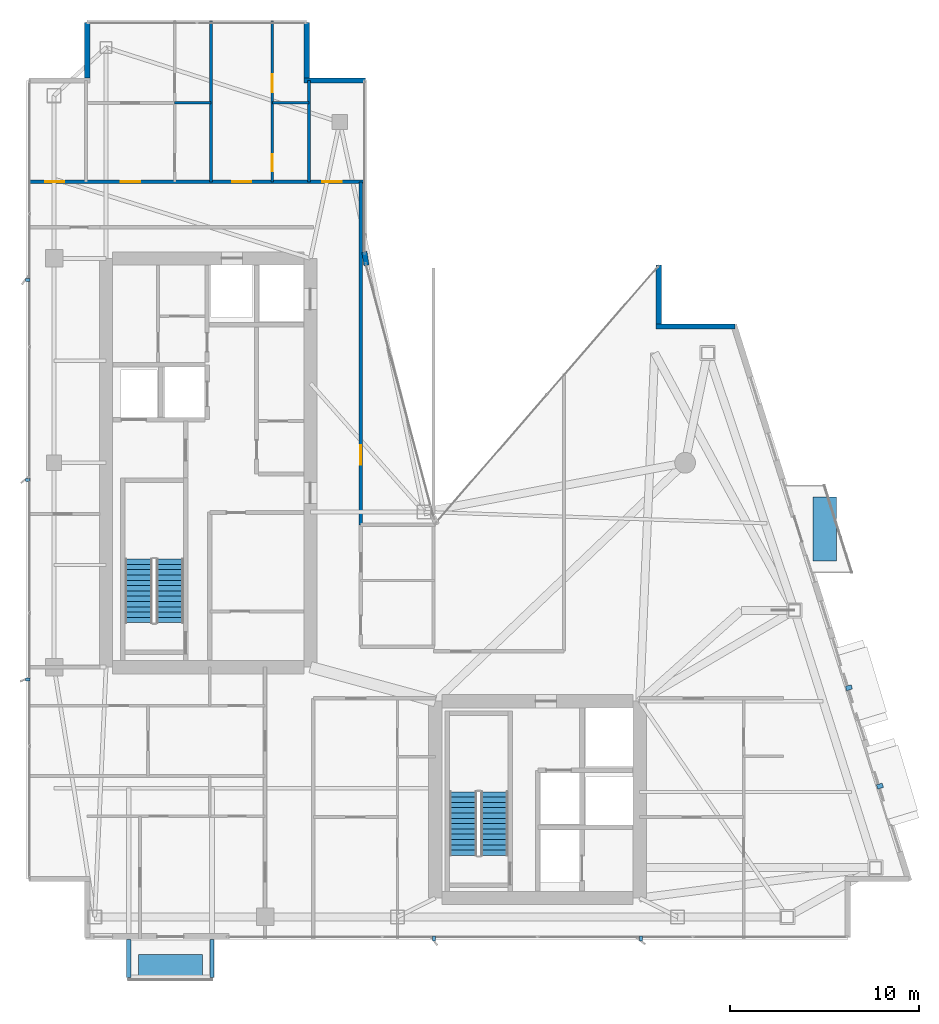
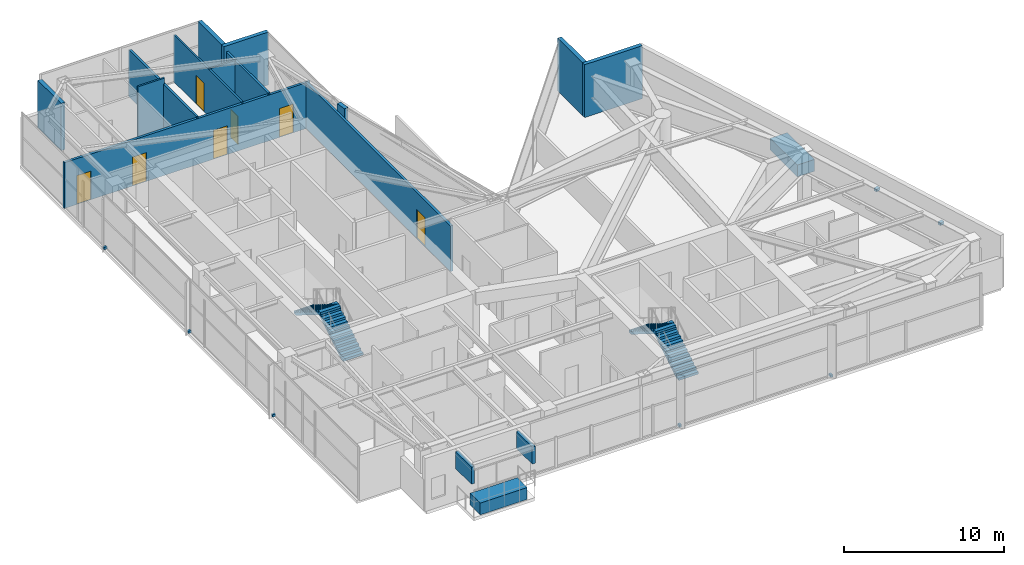
# One storey, part 27 of 29: 13 walls, 11 discrete accessories, 7 doors, 4 stair flights, 7 openings, 2 elements without a shape of their own.
"""IFC4 building model written with IfcOpenShell, lengths in metres."""

from ifc_helpers import new_model, si_unit, direction, frame, frame_2d, origin, origin_2d, place, context, subcontext, project, spatial, polyline, rectangle, outline, extrude, material, layer, layer_set, type_object, element, fill, aggregate, save


model = new_model("IFC4")

# Units and contexts
model_context = context("Model", 3, precision=1e-05, world=origin(), true_north=direction((0.0, 1.0)))
body_context = subcontext(model_context, "Body", "Model", "MODEL_VIEW")
ifc_project = project(units=[si_unit("LENGTHUNIT", "METRE"), si_unit("AREAUNIT", "SQUARE_METRE"), si_unit("VOLUMEUNIT", "CUBIC_METRE"), si_unit("PLANEANGLEUNIT", "RADIAN"), si_unit("MASSUNIT", "GRAM", prefix="KILO")], contexts=[model_context])

# Site, building, storey
site_placement = place(None, origin())
site = spatial("IfcSite", under=ifc_project, at=site_placement, CompositionType="ELEMENT")
building_placement = place(site_placement, origin())
building = spatial("IfcBuilding", under=site, at=building_placement, Name="Calvorn Quay Hotel", CompositionType="ELEMENT")
storey_placement = place(building_placement, frame((0.0, 0.0, 259.0)))
storey = spatial("IfcBuildingStorey", under=building, at=storey_placement, Name="L64", CompositionType="ELEMENT", Elevation=259.0)

# Wall, openings, doors
ifc_material_1 = material(Name="Acoustic Fireboard Steel-Stud Partition", Category="steel")
ifc_layer_1 = layer(ifc_material_1, 0.179931640625)
ifc_layer_set_1 = layer_set([ifc_layer_1], Name="WL-CORR-FIRE-180")
wall_type_1 = type_object("IfcWallType", Name="WL-CORR-FIRE-180", PredefinedType="PARTITIONING", material=ifc_layer_set_1)
wall_1_placement = place(storey_placement, frame((0.080078125, 42.449951171875, 0.0), z_axis=(0.0, 0.0, 1.0), x_axis=(1.0, 0.0, 0.0)))
wall_1 = element("IfcWall", 1, at=wall_1_placement, inside=storey, type_object=wall_type_1, Name="Partition Wall L64-WL-CORR-NW-N", PredefinedType="PARTITIONING", context=body_context, shape_type="SweptSolid", body=[
    extrude(rectangle(XDim=17.77001953125, YDim=0.179931640625, at=frame_2d((8.885009765625, 0.0))), origin(), (0.0, 0.0, 1.0), 3.5),
])
opening_1_placement = place(wall_1_placement, frame((0.89990234375, 0.0, 0.0)))
opening_1 = element("IfcOpeningElement", 2, at=opening_1_placement, cuts=wall_1, Name="Opening D-L64-NWW", PredefinedType="OPENING", context=body_context, shape_type="SweptSolid", body=[
    extrude(rectangle(XDim=1.02001953125, YDim=2.199951171875, at=frame_2d((0.510009765625, 1.10009765625))), frame((0.0, 0.099853515625, 0.0), z_axis=(0.0, -1.0, 0.0), x_axis=(1.0, 0.0, 0.0)), (0.0, 0.0, 1.0), 0.199951171875),
])
opening_2_placement = place(wall_1_placement, frame((4.89990234375, 0.0, 0.0)))
opening_2 = element("IfcOpeningElement", 3, at=opening_2_placement, cuts=wall_1, Name="Opening D-L64-U04", PredefinedType="OPENING", context=body_context, shape_type="SweptSolid", body=[
    extrude(rectangle(XDim=1.02001953125, YDim=2.199951171875, at=frame_2d((0.510009765625, 1.10009765625))), frame((0.0, 0.099853515625, 0.0), z_axis=(0.0, -1.0, 0.0), x_axis=(1.0, 0.0, 0.0)), (0.0, 0.0, 1.0), 0.199951171875),
])
opening_3_placement = place(wall_1_placement, frame((10.780029296875, 0.0, 0.0)))
opening_3 = element("IfcOpeningElement", 4, at=opening_3_placement, cuts=wall_1, Name="Opening D-L64-U05", PredefinedType="OPENING", context=body_context, shape_type="SweptSolid", body=[
    extrude(rectangle(XDim=1.02001953125, YDim=2.199951171875, at=frame_2d((0.510009765625, 1.10009765625))), frame((0.0, 0.099853515625, 0.0), z_axis=(0.0, -1.0, 0.0), x_axis=(1.0, 0.0, 0.0)), (0.0, 0.0, 1.0), 0.199951171875),
])
opening_4_placement = place(wall_1_placement, frame((15.550048828125, 0.0, 0.0)))
opening_4 = element("IfcOpeningElement", 5, at=opening_4_placement, cuts=wall_1, Name="Opening D-L64-NWE", PredefinedType="OPENING", context=body_context, shape_type="SweptSolid", body=[
    extrude(rectangle(XDim=1.02001953125, YDim=2.199951171875, at=frame_2d((0.510009765625, 1.10009765625))), frame((0.0, 0.099853515625, 0.0), z_axis=(0.0, -1.0, 0.0), x_axis=(1.0, 0.0, 0.0)), (0.0, 0.0, 1.0), 0.199951171875),
])
ifc_material_2 = material(Name="Solid-Core Walnut Veneer Hotel Fire Door")
door_type_1 = type_object("IfcDoorType", Name="DR-GUEST-ENTRY-1020", OperationType="NOTDEFINED", PredefinedType="DOOR", material=ifc_material_2)
door_1_placement = place(opening_1_placement, origin())
door_1 = element("IfcDoor", 6, at=door_1_placement, inside=storey, type_object=door_type_1, Name="West Corner Study Door (L64)", OperationType="SINGLE_SWING_LEFT", OverallHeight=2.199951171875, OverallWidth=1.02001953125, PredefinedType="DOOR", context=body_context, shape_type="SweptSolid", body=[
    extrude(rectangle(XDim=1.02001953125, YDim=2.199951171875, at=frame_2d((0.510009765625, 1.10009765625))), frame((0.0, 0.02490234375, 0.0), z_axis=(0.0, -1.0, 0.0), x_axis=(1.0, 0.0, 0.0)), (0.0, 0.0, 1.0), 0.050048828125),
])
fill(opening_1, door_1)
door_2_placement = place(opening_2_placement, origin())
door_2 = element("IfcDoor", 7, at=door_2_placement, inside=storey, type_object=door_type_1, Name="North-West Unit Door U04 (L64)", OperationType="SINGLE_SWING_RIGHT", OverallHeight=2.199951171875, OverallWidth=1.02001953125, PredefinedType="DOOR", context=body_context, shape_type="SweptSolid", body=[
    extrude(rectangle(XDim=1.02001953125, YDim=2.199951171875, at=frame_2d((0.510009765625, 1.10009765625))), frame((0.0, 0.02490234375, 0.0), z_axis=(0.0, -1.0, 0.0), x_axis=(1.0, 0.0, 0.0)), (0.0, 0.0, 1.0), 0.050048828125),
])
fill(opening_2, door_2)
door_3_placement = place(opening_3_placement, origin())
door_3 = element("IfcDoor", 8, at=door_3_placement, inside=storey, type_object=door_type_1, Name="North-West Unit Door U05 (L64)", OperationType="SINGLE_SWING_LEFT", OverallHeight=2.199951171875, OverallWidth=1.02001953125, PredefinedType="DOOR", context=body_context, shape_type="SweptSolid", body=[
    extrude(rectangle(XDim=1.02001953125, YDim=2.199951171875, at=frame_2d((0.510009765625, 1.10009765625))), frame((0.0, 0.02490234375, 0.0), z_axis=(0.0, -1.0, 0.0), x_axis=(1.0, 0.0, 0.0)), (0.0, 0.0, 1.0), 0.050048828125),
])
fill(opening_3, door_3)
door_4_placement = place(opening_4_placement, origin())
door_4 = element("IfcDoor", 9, at=door_4_placement, inside=storey, type_object=door_type_1, Name="Inner Court Study Door (L64)", OperationType="SINGLE_SWING_RIGHT", OverallHeight=2.199951171875, OverallWidth=1.02001953125, PredefinedType="DOOR", context=body_context, shape_type="SweptSolid", body=[
    extrude(rectangle(XDim=1.02001953125, YDim=2.199951171875, at=frame_2d((0.510009765625, 1.10009765625))), frame((0.0, 0.02490234375, 0.0), z_axis=(0.0, -1.0, 0.0), x_axis=(1.0, 0.0, 0.0)), (0.0, 0.0, 1.0), 0.050048828125),
])
fill(opening_4, door_4)

# Wall, opening, door
wall_2_placement = place(storey_placement, frame((17.64990234375, 24.300048828125, 0.0), z_axis=(0.0, 0.0, 1.0), x_axis=(0.0, 1.0, 0.0)))
wall_2 = element("IfcWall", 10, at=wall_2_placement, inside=storey, type_object=wall_type_1, Name="Partition Wall L64-WL-NW-CLOSURE-E", PredefinedType="PARTITIONING", context=body_context, shape_type="SweptSolid", body=[
    extrude(rectangle(XDim=18.14990234375, YDim=0.179931640625, at=frame_2d((9.074951171875, 0.0))), origin(), (0.0, 0.0, 1.0), 3.5),
])
opening_5_placement = place(wall_2_placement, frame((3.199951171875, 0.0, 0.0)))
opening_5 = element("IfcOpeningElement", 11, at=opening_5_placement, cuts=wall_2, Name="Opening D-L64-NCU", PredefinedType="OPENING", context=body_context, shape_type="SweptSolid", body=[
    extrude(rectangle(XDim=1.02001953125, YDim=2.199951171875, at=frame_2d((0.510009765625, 1.10009765625))), frame((0.0, 0.099853515625, 0.0), z_axis=(0.0, -1.0, 0.0), x_axis=(1.0, 0.0, 0.0)), (0.0, 0.0, 1.0), 0.199951171875),
])
door_5_placement = place(opening_5_placement, origin())
door_5 = element("IfcDoor", 12, at=door_5_placement, inside=storey, type_object=door_type_1, Name="Inner Court Horizon Study Door (L64)", OperationType="SINGLE_SWING_RIGHT", OverallHeight=2.199951171875, OverallWidth=1.02001953125, PredefinedType="DOOR", context=body_context, shape_type="SweptSolid", body=[
    extrude(rectangle(XDim=1.02001953125, YDim=2.199951171875, at=frame_2d((0.510009765625, 1.10009765625))), frame((0.0, 0.02490234375, 0.0), z_axis=(0.0, -1.0, 0.0), x_axis=(1.0, 0.0, 0.0)), (0.0, 0.0, 1.0), 0.050048828125),
])
fill(opening_5, door_5)

# Walls
ifc_material_3 = material(Name="Moisture-Resistant Tile-Backed Partition")
ifc_layer_2 = layer(ifc_material_3, 0.125)
ifc_layer_set_2 = layer_set([ifc_layer_2], Name="WL-ENSUITE-125")
wall_type_2 = type_object("IfcWallType", Name="WL-ENSUITE-125", PredefinedType="PARTITIONING", material=ifc_layer_set_2)
wall_3_placement = place(storey_placement, frame((7.820068359375, 46.6201171875, 0.0), z_axis=(0.0, 0.0, 1.0), x_axis=(1.0, 0.0, 0.0)))
element("IfcWall", 13, at=wall_3_placement, inside=storey, type_object=wall_type_2, Name="Partition Wall L64-WL-U04-BDV", PredefinedType="PARTITIONING", context=body_context, shape_type="SweptSolid", body=[
    extrude(rectangle(XDim=1.929931640625, YDim=0.125, at=frame_2d((0.96484375, 0.0))), origin(), (0.0, 0.0, 1.0), 4.050048828125),
])
wall_4_placement = place(storey_placement, frame((12.989990234375, 46.6201171875, 0.0), z_axis=(0.0, 0.0, 1.0), x_axis=(1.0, 0.0, 0.0)))
element("IfcWall", 14, at=wall_4_placement, inside=storey, type_object=wall_type_2, Name="Partition Wall L64-WL-U05-BDV", PredefinedType="PARTITIONING", context=body_context, shape_type="SweptSolid", body=[
    extrude(rectangle(XDim=1.929931640625, YDim=0.125, at=frame_2d((0.96484375, 0.0))), origin(), (0.0, 0.0, 1.0), 3.60009765625),
])

# Wall, openings, doors
wall_5_placement = place(storey_placement, frame((12.989990234375, 42.449951171875, 0.0), z_axis=(0.0, 0.0, 1.0), x_axis=(0.0, 1.0, 0.0)))
wall_5 = element("IfcWall", 15, at=wall_5_placement, inside=storey, type_object=wall_type_2, Name="Partition Wall L64-WL-U05-BV", PredefinedType="PARTITIONING", context=body_context, shape_type="SweptSolid", body=[
    extrude(rectangle(XDim=8.489990234375, YDim=0.125, at=frame_2d((4.2451171875, 0.0))), origin(), (0.0, 0.0, 1.0), 3.60009765625),
])
opening_6_placement = place(wall_5_placement, frame((0.550048828125, 0.0, 0.0)))
opening_6 = element("IfcOpeningElement", 16, at=opening_6_placement, cuts=wall_5, Name="Opening D-L64-E05", PredefinedType="OPENING", context=body_context, shape_type="SweptSolid", body=[
    extrude(rectangle(XDim=0.89990234375, YDim=2.14990234375, at=frame_2d((0.449951171875, 1.074951171875))), frame((0.0, 0.072509765625, 0.0), z_axis=(0.0, -1.0, 0.0), x_axis=(1.0, 0.0, 0.0)), (0.0, 0.0, 1.0), 0.14501953125),
])
opening_7_placement = place(wall_5_placement, frame((4.719970703125, 0.0, 0.0)))
opening_7 = element("IfcOpeningElement", 17, at=opening_7_placement, cuts=wall_5, Name="Opening D-L64-S05", PredefinedType="OPENING", context=body_context, shape_type="SweptSolid", body=[
    extrude(rectangle(XDim=0.9599609375, YDim=2.199951171875, at=frame_2d((0.47998046875, 1.10009765625))), frame((0.0, 0.072509765625, 0.0), z_axis=(0.0, -1.0, 0.0), x_axis=(1.0, 0.0, 0.0)), (0.0, 0.0, 1.0), 0.14501953125),
])
ifc_material_4 = material(Name="Moisture-Sealed Timber En-Suite Door", Category="wood")
door_type_2 = type_object("IfcDoorType", Name="DR-ENSUITE-900", OperationType="NOTDEFINED", PredefinedType="DOOR", material=ifc_material_4)
door_6_placement = place(opening_6_placement, origin())
door_6 = element("IfcDoor", 18, at=door_6_placement, inside=storey, type_object=door_type_2, Name="En-Suite Door 05", OperationType="SINGLE_SWING_LEFT", OverallHeight=2.14990234375, OverallWidth=0.89990234375, PredefinedType="DOOR", context=body_context, shape_type="SweptSolid", body=[
    extrude(rectangle(XDim=0.89990234375, YDim=2.14990234375, at=frame_2d((0.449951171875, 1.074951171875))), frame((0.0, 0.02490234375, 0.0), z_axis=(0.0, -1.0, 0.0), x_axis=(1.0, 0.0, 0.0)), (0.0, 0.0, 1.0), 0.050048828125),
])
fill(opening_6, door_6)
ifc_material_5 = material(Name="Solid Timber Internal Suite Door", Category="wood")
door_type_3 = type_object("IfcDoorType", Name="DR-SUITE-INT-960", OperationType="NOTDEFINED", PredefinedType="DOOR", material=ifc_material_5)
door_7_placement = place(opening_7_placement, origin())
door_7 = element("IfcDoor", 19, at=door_7_placement, inside=storey, type_object=door_type_3, Name="Children Play Nursery Door 05", OperationType="SINGLE_SWING_RIGHT", OverallHeight=2.199951171875, OverallWidth=0.9599609375, PredefinedType="DOOR", context=body_context, shape_type="SweptSolid", body=[
    extrude(rectangle(XDim=0.9599609375, YDim=2.199951171875, at=frame_2d((0.47998046875, 1.10009765625))), frame((0.0, 0.02490234375, 0.0), z_axis=(0.0, -1.0, 0.0), x_axis=(1.0, 0.0, 0.0)), (0.0, 0.0, 1.0), 0.050048828125),
])
fill(opening_7, door_7)

# Walls
ifc_material_6 = material(Name="Concrete C40", Category="concrete")
ifc_layer_3 = layer(ifc_material_6, 0.320068359375)
ifc_layer_set_3 = layer_set([ifc_layer_3], Name="WL-EXT-SPANDREL-320")
wall_type_3 = type_object("IfcWallType", Name="WL-EXT-SPANDREL-320", PredefinedType="SOLIDWALL", material=ifc_layer_set_3)
wall_6_placement = place(storey_placement, frame((17.9619140625, 38.030029296875, 0.0), z_axis=(0.0, 0.0, 1.0), x_axis=(-0.15141125477, 0.988470855377, 0.0)))
element("IfcWall", 20, at=wall_6_placement, inside=storey, type_object=wall_type_3, Name="Inner Court Corner Pier L64-ICJ2", PredefinedType="SOLIDWALL", context=body_context, shape_type="SweptSolid", body=[
    extrude(rectangle(XDim=0.738525390625, YDim=0.280029296875, at=frame_2d((0.369140625, 0.0))), origin(), (0.0, 0.0, 1.0), 4.050048828125),
])
wall_7_placement = place(storey_placement, frame((37.43994140625, 34.800048828125, 0.0), z_axis=(0.0, 0.0, 1.0), x_axis=(-1.0, 0.0, 0.0)))
element("IfcWall", 21, at=wall_7_placement, inside=storey, type_object=wall_type_3, Name="Notched Corner Spandrel L64-NE1", PredefinedType="SOLIDWALL", context=body_context, shape_type="SweptSolid", body=[
    extrude(rectangle(XDim=4.179931640625, YDim=0.280029296875, at=frame_2d((2.08984375, 0.0))), origin(), (0.0, 0.0, 1.0), 4.050048828125),
])
wall_8_placement = place(storey_placement, frame((33.39990234375, 34.93994140625, 0.0), z_axis=(0.0, 0.0, 1.0), x_axis=(0.0, 1.0, 0.0)))
element("IfcWall", 22, at=wall_8_placement, inside=storey, type_object=wall_type_3, Name="Notched Corner Spandrel L64-NE2", PredefinedType="SOLIDWALL", context=body_context, shape_type="SweptSolid", body=[
    extrude(rectangle(XDim=3.10009765625, YDim=0.280029296875, at=frame_2d((1.550048828125, 0.0))), origin(), (0.0, 0.0, 1.0), 4.050048828125),
])
wall_9_placement = place(storey_placement, frame((17.89990234375, 47.800048828125, 0.0), z_axis=(0.0, 0.0, 1.0), x_axis=(-1.0, 0.0, 0.0)))
element("IfcWall", 23, at=wall_9_placement, inside=storey, type_object=wall_type_3, Name="Notched Corner Spandrel L64-NWE1", PredefinedType="SOLIDWALL", context=body_context, shape_type="SweptSolid", body=[
    extrude(rectangle(XDim=3.239990234375, YDim=0.280029296875, at=frame_2d((1.6201171875, 0.0))), origin(), (0.0, 0.0, 1.0), 4.050048828125),
])
wall_10_placement = place(storey_placement, frame((14.800048828125, 47.93994140625, 0.0), z_axis=(0.0, 0.0, 1.0), x_axis=(0.0, 1.0, 0.0)))
element("IfcWall", 24, at=wall_10_placement, inside=storey, type_object=wall_type_3, Name="Notched Corner Spandrel L64-NWE2", PredefinedType="SOLIDWALL", context=body_context, shape_type="SweptSolid", body=[
    extrude(rectangle(XDim=2.93994140625, YDim=0.280029296875, at=frame_2d((1.469970703125, 0.0))), origin(), (0.0, 0.0, 1.0), 4.050048828125),
])
wall_11_placement = place(storey_placement, frame((3.199951171875, 50.8798828125, 0.0), z_axis=(0.0, 0.0, 1.0), x_axis=(0.0, -1.0, 0.0)))
element("IfcWall", 25, at=wall_11_placement, inside=storey, type_object=wall_type_3, Name="Notched Corner Spandrel L64-NW1", PredefinedType="SOLIDWALL", context=body_context, shape_type="SweptSolid", body=[
    extrude(rectangle(XDim=2.93994140625, YDim=0.280029296875, at=frame_2d((1.469970703125, 0.0))), origin(), (0.0, 0.0, 1.0), 3.60009765625),
])
ifc_material_7 = material(Name="Double-Stud Acoustic Gypsum Partition")
ifc_layer_4 = layer(ifc_material_7, 0.159912109375)
ifc_layer_set_4 = layer_set([ifc_layer_4], Name="WL-INTERSUITE-160")
wall_type_4 = type_object("IfcWallType", Name="WL-INTERSUITE-160", PredefinedType="PARTITIONING", material=ifc_layer_set_4)
wall_12_placement = place(storey_placement, frame((14.919921875, 42.449951171875, 0.0), z_axis=(0.0, 0.0, 1.0), x_axis=(0.0, 1.0, 0.0)))
element("IfcWall", 26, at=wall_12_placement, inside=storey, type_object=wall_type_4, Name="Partition Wall L64-WL-NW-DIV-E0", PredefinedType="PARTITIONING", context=body_context, shape_type="SweptSolid", body=[
    extrude(rectangle(XDim=5.35009765625, YDim=0.159912109375, at=frame_2d((2.675048828125, 0.0))), origin(), (0.0, 0.0, 1.0), 3.60009765625),
])
wall_13_placement = place(storey_placement, frame((9.75, 42.449951171875, 0.0), z_axis=(0.0, 0.0, 1.0), x_axis=(0.0, 1.0, 0.0)))
element("IfcWall", 27, at=wall_13_placement, inside=storey, type_object=wall_type_4, Name="Partition Wall L64-WL-NW-DIV-1", PredefinedType="PARTITIONING", context=body_context, shape_type="SweptSolid", body=[
    extrude(rectangle(XDim=8.489990234375, YDim=0.159912109375, at=frame_2d((4.2451171875, 0.0))), origin(), (0.0, 0.0, 1.0), 3.60009765625),
])

# Stair, stair flights
ifc_material_8 = material(Name="Concrete C40", Category="concrete")
stair_type = type_object("IfcStairType", Name="STR-CORE-DOGLEG", PredefinedType="HALF_TURN_STAIR", material=ifc_material_8)
stair_1_placement = place(storey_placement, origin())
stair_1 = element("IfcStair", 28, at=stair_1_placement, inside=storey, type_object=stair_type, Name="L64 ST-W", PredefinedType="HALF_TURN_STAIR")
ifc_material_9 = material(Name="Concrete C40", Category="concrete")
stair_flight_type = type_object("IfcStairFlightType", Name="FLT-CORE-1550", PredefinedType="STRAIGHT", material=ifc_material_9)
stair_flight_1_placement = place(storey_placement, frame((7.574951171875, 19.14990234375, 0.0), z_axis=(0.0, 0.0, 1.0), x_axis=(0.0, 1.0, 0.0)))
stair_flight_1 = element("IfcStairFlight", 29, at=stair_flight_1_placement, type_object=stair_flight_type, Name="ST-W flight 1", NumberOfRisers=13, NumberOfTreads=12, PredefinedType="STRAIGHT", RiserHeight=0.173076923, TreadLength=0.28, context=body_context, shape_type="SweptSolid", body=[
    extrude(outline(polyline([(0.0, 0.0), (0.0, 0.173095703125), (0.280029296875, 0.173095703125), (0.280029296875, 0.34619140625), (0.56005859375, 0.34619140625), (0.56005859375, 0.519287109375), (0.840087890625, 0.519287109375), (0.840087890625, 0.6923828125), (1.1201171875, 0.6923828125), (1.1201171875, 0.865478515625), (1.39990234375, 0.865478515625), (1.39990234375, 1.03857421875), (1.679931640625, 1.03857421875), (1.679931640625, 1.21142578125), (1.9599609375, 1.21142578125), (1.9599609375, 1.384521484375), (2.239990234375, 1.384521484375), (2.239990234375, 1.5576171875), (2.52001953125, 1.5576171875), (2.52001953125, 1.730712890625), (2.800048828125, 1.730712890625), (2.800048828125, 1.90380859375), (3.080078125, 1.90380859375), (3.080078125, 2.076904296875), (3.360107421875, 2.076904296875), (3.360107421875, 2.25), (3.360107421875, 1.900634765625), (0.28515625, 0.0), (0.0, 0.0)])), frame((0.0, 0.72509765625, 0.0), z_axis=(0.0, -1.0, 0.0), x_axis=(1.0, 0.0, 0.0)), (0.0, 0.0, 1.0), 1.449951171875),
])
stair_flight_2_placement = place(storey_placement, frame((5.925048828125, 22.510009765625, 2.25), z_axis=(0.0, 0.0, 1.0), x_axis=(0.0, -1.0, 0.0)))
stair_flight_2 = element("IfcStairFlight", 30, at=stair_flight_2_placement, type_object=stair_flight_type, Name="ST-W flight 2", NumberOfRisers=13, NumberOfTreads=12, PredefinedType="STRAIGHT", RiserHeight=0.173076923, TreadLength=0.28, context=body_context, shape_type="SweptSolid", body=[
    extrude(outline(polyline([(0.0, 0.0), (0.0, 0.173095703125), (0.280029296875, 0.173095703125), (0.280029296875, 0.34619140625), (0.56005859375, 0.34619140625), (0.56005859375, 0.519287109375), (0.840087890625, 0.519287109375), (0.840087890625, 0.6923828125), (1.1201171875, 0.6923828125), (1.1201171875, 0.865478515625), (1.39990234375, 0.865478515625), (1.39990234375, 1.03857421875), (1.679931640625, 1.03857421875), (1.679931640625, 1.21142578125), (1.9599609375, 1.21142578125), (1.9599609375, 1.384521484375), (2.239990234375, 1.384521484375), (2.239990234375, 1.5576171875), (2.52001953125, 1.5576171875), (2.52001953125, 1.730712890625), (2.800048828125, 1.730712890625), (2.800048828125, 1.90380859375), (3.080078125, 1.90380859375), (3.080078125, 2.076904296875), (3.360107421875, 2.076904296875), (3.360107421875, 2.25), (3.360107421875, 1.900634765625), (0.28515625, 0.0), (0.0, 0.0)])), frame((0.0, 0.72509765625, 0.0), z_axis=(0.0, -1.0, 0.0), x_axis=(1.0, 0.0, 0.0)), (0.0, 0.0, 1.0), 1.449951171875),
])
aggregate(stair_1, [stair_flight_1, stair_flight_2])

stair_2_placement = place(storey_placement, origin())
stair_2 = element("IfcStair", 31, at=stair_2_placement, inside=storey, type_object=stair_type, Name="L64 ST-E", PredefinedType="HALF_TURN_STAIR")
stair_flight_3_placement = place(storey_placement, frame((24.72509765625, 6.85009765625, 0.0), z_axis=(0.0, 0.0, 1.0), x_axis=(0.0, 1.0, 0.0)))
stair_flight_3 = element("IfcStairFlight", 32, at=stair_flight_3_placement, type_object=stair_flight_type, Name="ST-E flight 1", NumberOfRisers=13, NumberOfTreads=12, PredefinedType="STRAIGHT", RiserHeight=0.173076923, TreadLength=0.28, context=body_context, shape_type="SweptSolid", body=[
    extrude(outline(polyline([(0.0, 0.0), (0.0, 0.173095703125), (0.280029296875, 0.173095703125), (0.280029296875, 0.34619140625), (0.56005859375, 0.34619140625), (0.56005859375, 0.519287109375), (0.840087890625, 0.519287109375), (0.840087890625, 0.6923828125), (1.1201171875, 0.6923828125), (1.1201171875, 0.865478515625), (1.39990234375, 0.865478515625), (1.39990234375, 1.03857421875), (1.679931640625, 1.03857421875), (1.679931640625, 1.21142578125), (1.9599609375, 1.21142578125), (1.9599609375, 1.384521484375), (2.239990234375, 1.384521484375), (2.239990234375, 1.5576171875), (2.52001953125, 1.5576171875), (2.52001953125, 1.730712890625), (2.800048828125, 1.730712890625), (2.800048828125, 1.90380859375), (3.080078125, 1.90380859375), (3.080078125, 2.076904296875), (3.360107421875, 2.076904296875), (3.360107421875, 2.25), (3.360107421875, 1.900634765625), (0.28515625, 0.0), (0.0, 0.0)])), frame((0.0, 0.72509765625, 0.0), z_axis=(0.0, -1.0, 0.0), x_axis=(1.0, 0.0, 0.0)), (0.0, 0.0, 1.0), 1.449951171875),
])
stair_flight_4_placement = place(storey_placement, frame((23.074951171875, 10.2099609375, 2.25), z_axis=(0.0, 0.0, 1.0), x_axis=(0.0, -1.0, 0.0)))
stair_flight_4 = element("IfcStairFlight", 33, at=stair_flight_4_placement, type_object=stair_flight_type, Name="ST-E flight 2", NumberOfRisers=13, NumberOfTreads=12, PredefinedType="STRAIGHT", RiserHeight=0.173076923, TreadLength=0.28, context=body_context, shape_type="SweptSolid", body=[
    extrude(outline(polyline([(0.0, 0.0), (0.0, 0.173095703125), (0.280029296875, 0.173095703125), (0.280029296875, 0.34619140625), (0.56005859375, 0.34619140625), (0.56005859375, 0.519287109375), (0.840087890625, 0.519287109375), (0.840087890625, 0.6923828125), (1.1201171875, 0.6923828125), (1.1201171875, 0.865478515625), (1.39990234375, 0.865478515625), (1.39990234375, 1.03857421875), (1.679931640625, 1.03857421875), (1.679931640625, 1.21142578125), (1.9599609375, 1.21142578125), (1.9599609375, 1.384521484375), (2.239990234375, 1.384521484375), (2.239990234375, 1.5576171875), (2.52001953125, 1.5576171875), (2.52001953125, 1.730712890625), (2.800048828125, 1.730712890625), (2.800048828125, 1.90380859375), (3.080078125, 1.90380859375), (3.080078125, 2.076904296875), (3.360107421875, 2.076904296875), (3.360107421875, 2.25), (3.360107421875, 1.900634765625), (0.28515625, 0.0), (0.0, 0.0)])), frame((0.0, 0.72509765625, 0.0), z_axis=(0.0, -1.0, 0.0), x_axis=(1.0, 0.0, 0.0)), (0.0, 0.0, 1.0), 1.449951171875),
])
aggregate(stair_2, [stair_flight_3, stair_flight_4])

# Discrete accessories
ifc_material_10 = material(Name="Steel Q355B", Category="steel")
discrete_accessory_type_1 = type_object("IfcDiscreteAccessoryType", Name="ACC-BALC-STRUT", PredefinedType="BRACKET", material=ifc_material_10)
for number, where, z_axis, x_axis, name in (
    (34, (5.39990234375, 1.405029296875, 2.52490234375), (0.0, 0.0, 1.0), (1.0, 0.0, 0.0), "Exterior Balcony Steel Bracket L65-BALC-S-A"),
    (35, (9.800048828125, 1.405029296875, 2.52490234375), (0.0, 0.0, 1.0), (1.0, 0.0, 0.0), "Exterior Balcony Steel Bracket L65-BALC-S-B"),
):
    element("IfcDiscreteAccessory", number, at=place(storey_placement, frame(where, z_axis=z_axis, x_axis=x_axis)), inside=storey, type_object=discrete_accessory_type_1, Name=name, PredefinedType="BRACKET", context=body_context, shape_type="SweptSolid", body=[
        extrude(rectangle(XDim=0.219970703125, YDim=1.989990234375, at=origin_2d()), origin(), (0.0, 0.0, 1.0), 1.300048828125),
    ])
ifc_material_11 = material(Name="Steel Q355B", Category="steel")
discrete_accessory_type_2 = type_object("IfcDiscreteAccessoryType", Name="ACC-FIN-BRACKET", PredefinedType="BRACKET", material=ifc_material_11)
for number, where, z_axis, x_axis, name in (
    (36, (0.06005859375, 16.14990234375, 0.0302734375), (0.0, 0.0, 1.0), (1.0, 0.0, 0.0), "Fin Anchor Bracket L64-W01"),
    (37, (0.06005859375, 26.699951171875, 0.0302734375), (0.0, 0.0, 1.0), (1.0, 0.0, 0.0), "Fin Anchor Bracket L64-W02"),
    (38, (0.06005859375, 37.25, 0.0302734375), (0.0, 0.0, 1.0), (1.0, 0.0, 0.0), "Fin Anchor Bracket L64-W03"),
    (39, (21.532958984375, 2.4599609375, 0.0302734375), (0.0, 0.0, 1.0), (0.0, 1.0, 0.0), "Fin Anchor Bracket L64-S01"),
    (40, (32.467041015625, 2.4599609375, 0.0302734375), (0.0, 0.0, 1.0), (0.0, 1.0, 0.0), "Fin Anchor Bracket L64-S02"),
):
    element("IfcDiscreteAccessory", number, at=place(storey_placement, frame(where, z_axis=z_axis, x_axis=x_axis)), inside=storey, type_object=discrete_accessory_type_2, Name=name, PredefinedType="BRACKET", context=body_context, shape_type="SweptSolid", body=[
        extrude(rectangle(XDim=0.239990234375, YDim=0.159912109375, at=origin_2d()), origin(), (0.0, 0.0, 1.0), 0.179931640625),
    ])
for number, where, z_axis, x_axis, name in (
    (41, (45.094970703125, 10.511962890625, 2.3701171875), (0.0, 0.0, 1.0), (0.957319497532, 0.289031796944, 0.0), "Bay Hood Support Bracket L64-HOOD-1"),
    (42, (43.4560546875, 15.7119140625, 2.3701171875), (0.0, 0.0, 1.0), (0.957319497532, 0.289031796944, 0.0), "Bay Hood Support Bracket L64-HOOD-2"),
):
    element("IfcDiscreteAccessory", number, at=place(storey_placement, frame(where, z_axis=z_axis, x_axis=x_axis)), inside=storey, type_object=discrete_accessory_type_2, Name=name, PredefinedType="BRACKET", context=body_context, shape_type="SweptSolid", body=[
        extrude(rectangle(XDim=0.320068359375, YDim=0.239990234375, at=origin_2d()), origin(), (0.0, 0.0, 1.0), 0.199951171875),
    ])
ifc_material_12 = material(Name="Precast concrete C40", Category="concrete")
discrete_accessory_type_3 = type_object("IfcDiscreteAccessoryType", Name="ACC-TREE-PLANTER", PredefinedType="USERDEFINED", material=ifc_material_12)
discrete_accessory_1_placement = place(storey_placement, frame((42.180908203125, 24.10009765625, 0.0), z_axis=(0.0, 0.0, 1.0), x_axis=(1.0, 0.0, 0.0)))
element("IfcDiscreteAccessory", 43, at=discrete_accessory_1_placement, inside=storey, type_object=discrete_accessory_type_3, Name="Subtropical Tree Structural Planter L64-BALC-E", ObjectType="PLANTER", PredefinedType="USERDEFINED", context=body_context, shape_type="SweptSolid", body=[
    extrude(rectangle(XDim=1.25, YDim=3.39990234375, at=origin_2d()), origin(), (0.0, 0.0, 1.0), 0.89990234375),
])
discrete_accessory_2_placement = place(storey_placement, frame((7.60009765625, 0.989990234375, 0.0), z_axis=(0.0, 0.0, 1.0), x_axis=(1.0, 0.0, 0.0)))
element("IfcDiscreteAccessory", 44, at=discrete_accessory_2_placement, inside=storey, type_object=discrete_accessory_type_3, Name="Subtropical Tree Structural Planter L64-BALC-S", ObjectType="PLANTER", PredefinedType="USERDEFINED", context=body_context, shape_type="SweptSolid", body=[
    extrude(rectangle(XDim=3.39990234375, YDim=1.25, at=origin_2d()), origin(), (0.0, 0.0, 1.0), 0.89990234375),
])

save(model, "model.ifc")
